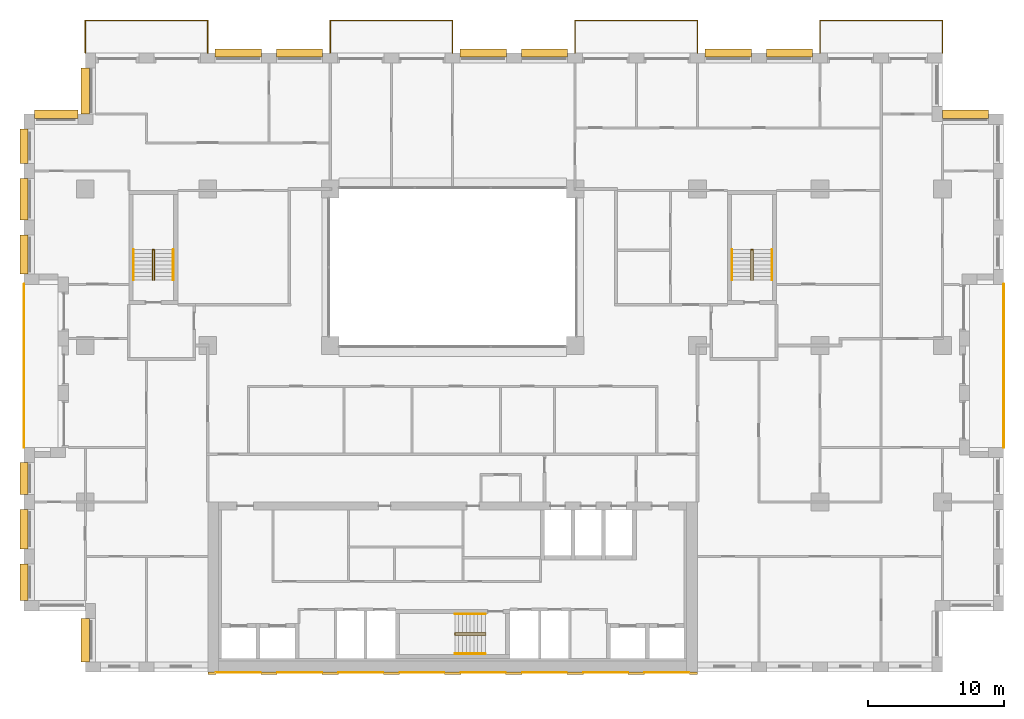
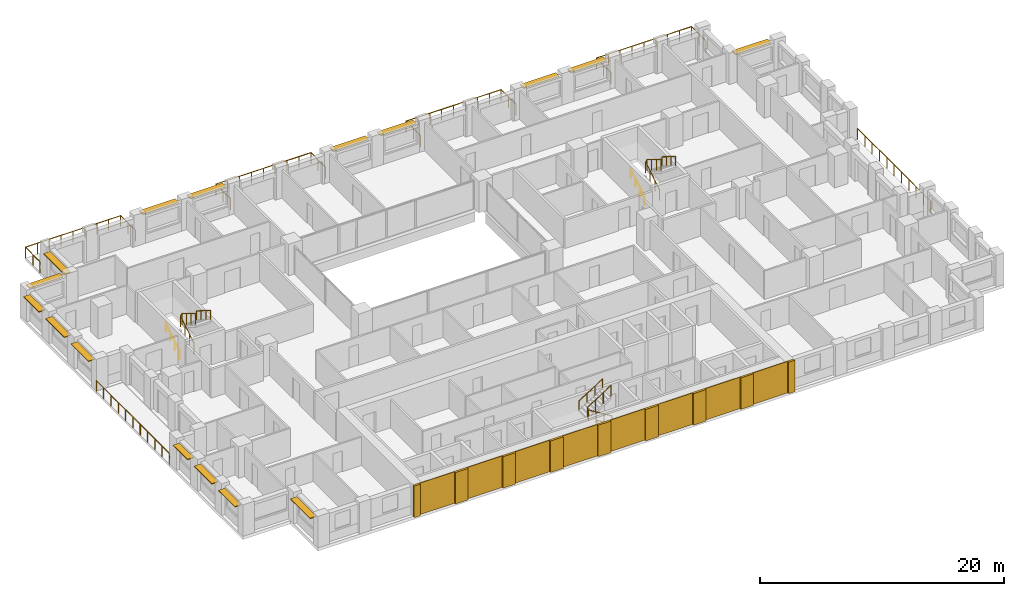
# One storey, part 16 of 16: 17 coverings, 16 shading devices, 15 railings.
"""IFC4 building model written with IfcOpenShell, lengths in metres."""

from ifc_helpers import new_model, si_unit, direction, frame, origin, origin_2d, place, context, subcontext, project, spatial, rectangle, circle, extrude, material, layer, layer_set, type_object, element, save


model = new_model("IFC4")

# Units and contexts
model_context = context("Model", 3, precision=1e-05, world=origin(), true_north=direction((0.0, 1.0)))
body_context = subcontext(model_context, "Body", "Model", "MODEL_VIEW")
ifc_project = project(units=[si_unit("LENGTHUNIT", "METRE"), si_unit("AREAUNIT", "SQUARE_METRE"), si_unit("VOLUMEUNIT", "CUBIC_METRE"), si_unit("PLANEANGLEUNIT", "RADIAN"), si_unit("MASSUNIT", "GRAM", prefix="KILO")], contexts=[model_context])

# Site, building, storey
site_placement = place(None, origin())
site = spatial("IfcSite", under=ifc_project, at=site_placement, CompositionType="ELEMENT")
building_placement = place(site_placement, origin())
building = spatial("IfcBuilding", under=site, at=building_placement, Name="Brigalow Station Residences", CompositionType="ELEMENT")
storey_placement = place(building_placement, frame((0.0, 0.0, 121.35009765625)))
storey = spatial("IfcBuildingStorey", under=building, at=storey_placement, Name="L35", CompositionType="ELEMENT", Elevation=121.35009765625)

# Railings
ifc_material_1 = material(Name="Stainless steel balustrade with laminated glass infill", Category="steel")
railing_type_1 = type_object("IfcRailingType", Name="BALCONY GUARD 1100", PredefinedType="GUARDRAIL", material=ifc_material_1)
railing_1_placement = place(storey_placement, frame((76.5, 16.5, -0.0400390625)))
element("IfcRailing", 1, at=railing_1_placement, inside=storey, type_object=railing_type_1, Name="L35/balcony-guard/1", PredefinedType="GUARDRAIL", context=body_context, shape_type="SweptSolid", body=[
    extrude(circle(Radius=0.02392578125, at=origin_2d()), frame((0.0, 0.0, 1.076171875), z_axis=(0.0, 1.0, 0.0), x_axis=(-1.0, 0.0, 0.0)), (0.0, 0.0, 1.0), 12.0),
    extrude(circle(Radius=0.02099609375, at=origin_2d()), origin(), (0.0, 0.0, 1.0), 1.052001953125),
    extrude(circle(Radius=0.02099609375, at=origin_2d()), frame((0.0, 1.199951171875, 0.0)), (0.0, 0.0, 1.0), 1.052001953125),
    extrude(circle(Radius=0.02099609375, at=origin_2d()), frame((0.0, 2.39990234375, 0.0)), (0.0, 0.0, 1.0), 1.052001953125),
    extrude(circle(Radius=0.02099609375, at=origin_2d()), frame((0.0, 3.60009765625, 0.0)), (0.0, 0.0, 1.0), 1.052001953125),
    extrude(circle(Radius=0.02099609375, at=origin_2d()), frame((0.0, 4.800048828125, 0.0)), (0.0, 0.0, 1.0), 1.052001953125),
    extrude(circle(Radius=0.02099609375, at=origin_2d()), frame((0.0, 6.0, 0.0)), (0.0, 0.0, 1.0), 1.052001953125),
    extrude(circle(Radius=0.02099609375, at=origin_2d()), frame((0.0, 7.199951171875, 0.0)), (0.0, 0.0, 1.0), 1.052001953125),
    extrude(circle(Radius=0.02099609375, at=origin_2d()), frame((0.0, 8.39990234375, 0.0)), (0.0, 0.0, 1.0), 1.052001953125),
    extrude(circle(Radius=0.02099609375, at=origin_2d()), frame((0.0, 9.60009765625, 0.0)), (0.0, 0.0, 1.0), 1.052001953125),
    extrude(circle(Radius=0.02099609375, at=origin_2d()), frame((0.0, 10.800048828125, 0.0)), (0.0, 0.0, 1.0), 1.052001953125),
    extrude(circle(Radius=0.02099609375, at=origin_2d()), frame((0.0, 12.0, 0.0)), (0.0, 0.0, 1.0), 1.052001953125),
])
railing_2_placement = place(storey_placement, frame((72.0, 45.5, -0.0400390625)))
element("IfcRailing", 2, at=railing_2_placement, inside=storey, type_object=railing_type_1, Name="L35/balcony-guard/2", PredefinedType="GUARDRAIL", context=body_context, shape_type="SweptSolid", body=[
    extrude(circle(Radius=0.02392578125, at=origin_2d()), frame((0.0, 0.0, 1.076171875), z_axis=(0.0, 1.0, 0.0), x_axis=(-1.0, 0.0, 0.0)), (0.0, 0.0, 1.0), 2.39990234375),
    extrude(circle(Radius=0.02392578125, at=origin_2d()), frame((0.0, 2.39990234375, 1.076171875), z_axis=(-1.0, 0.0, 0.0), x_axis=(0.0, -1.0, 0.0)), (0.0, 0.0, 1.0), 9.0),
    extrude(circle(Radius=0.02392578125, at=origin_2d()), frame((-9.0, 2.39990234375, 1.076171875), z_axis=(0.0, -1.0, 0.0), x_axis=(1.0, 0.0, 0.0)), (0.0, 0.0, 1.0), 2.39990234375),
    extrude(circle(Radius=0.02099609375, at=origin_2d()), origin(), (0.0, 0.0, 1.0), 1.052001953125),
    extrude(circle(Radius=0.02099609375, at=origin_2d()), frame((0.0, 1.199951171875, 0.0)), (0.0, 0.0, 1.0), 1.052001953125),
    extrude(circle(Radius=0.02099609375, at=origin_2d()), frame((0.0, 2.39990234375, 0.0)), (0.0, 0.0, 1.0), 1.052001953125),
    extrude(circle(Radius=0.02099609375, at=origin_2d()), frame((-1.125, 2.39990234375, 0.0)), (0.0, 0.0, 1.0), 1.052001953125),
    extrude(circle(Radius=0.02099609375, at=origin_2d()), frame((-2.25, 2.39990234375, 0.0)), (0.0, 0.0, 1.0), 1.052001953125),
    extrude(circle(Radius=0.02099609375, at=origin_2d()), frame((-3.375, 2.39990234375, 0.0)), (0.0, 0.0, 1.0), 1.052001953125),
    extrude(circle(Radius=0.02099609375, at=origin_2d()), frame((-4.5, 2.39990234375, 0.0)), (0.0, 0.0, 1.0), 1.052001953125),
    extrude(circle(Radius=0.02099609375, at=origin_2d()), frame((-5.625, 2.39990234375, 0.0)), (0.0, 0.0, 1.0), 1.052001953125),
    extrude(circle(Radius=0.02099609375, at=origin_2d()), frame((-6.75, 2.39990234375, 0.0)), (0.0, 0.0, 1.0), 1.052001953125),
    extrude(circle(Radius=0.02099609375, at=origin_2d()), frame((-7.875, 2.39990234375, 0.0)), (0.0, 0.0, 1.0), 1.052001953125),
    extrude(circle(Radius=0.02099609375, at=origin_2d()), frame((-9.0, 2.39990234375, 0.0)), (0.0, 0.0, 1.0), 1.052001953125),
    extrude(circle(Radius=0.02099609375, at=origin_2d()), frame((-9.0, 1.199951171875, 0.0)), (0.0, 0.0, 1.0), 1.052001953125),
    extrude(circle(Radius=0.02099609375, at=origin_2d()), frame((-9.0, 0.0, 0.0)), (0.0, 0.0, 1.0), 1.052001953125),
])
railing_3_placement = place(storey_placement, frame((54.0, 45.5, -0.0400390625)))
element("IfcRailing", 3, at=railing_3_placement, inside=storey, type_object=railing_type_1, Name="L35/balcony-guard/3", PredefinedType="GUARDRAIL", context=body_context, shape_type="SweptSolid", body=[
    extrude(circle(Radius=0.02392578125, at=origin_2d()), frame((0.0, 0.0, 1.076171875), z_axis=(0.0, 1.0, 0.0), x_axis=(-1.0, 0.0, 0.0)), (0.0, 0.0, 1.0), 2.39990234375),
    extrude(circle(Radius=0.02392578125, at=origin_2d()), frame((0.0, 2.39990234375, 1.076171875), z_axis=(-1.0, 0.0, 0.0), x_axis=(0.0, -1.0, 0.0)), (0.0, 0.0, 1.0), 9.0),
    extrude(circle(Radius=0.02392578125, at=origin_2d()), frame((-9.0, 2.39990234375, 1.076171875), z_axis=(0.0, -1.0, 0.0), x_axis=(1.0, 0.0, 0.0)), (0.0, 0.0, 1.0), 2.39990234375),
    extrude(circle(Radius=0.02099609375, at=origin_2d()), origin(), (0.0, 0.0, 1.0), 1.052001953125),
    extrude(circle(Radius=0.02099609375, at=origin_2d()), frame((0.0, 1.199951171875, 0.0)), (0.0, 0.0, 1.0), 1.052001953125),
    extrude(circle(Radius=0.02099609375, at=origin_2d()), frame((0.0, 2.39990234375, 0.0)), (0.0, 0.0, 1.0), 1.052001953125),
    extrude(circle(Radius=0.02099609375, at=origin_2d()), frame((-1.125, 2.39990234375, 0.0)), (0.0, 0.0, 1.0), 1.052001953125),
    extrude(circle(Radius=0.02099609375, at=origin_2d()), frame((-2.25, 2.39990234375, 0.0)), (0.0, 0.0, 1.0), 1.052001953125),
    extrude(circle(Radius=0.02099609375, at=origin_2d()), frame((-3.375, 2.39990234375, 0.0)), (0.0, 0.0, 1.0), 1.052001953125),
    extrude(circle(Radius=0.02099609375, at=origin_2d()), frame((-4.5, 2.39990234375, 0.0)), (0.0, 0.0, 1.0), 1.052001953125),
    extrude(circle(Radius=0.02099609375, at=origin_2d()), frame((-5.625, 2.39990234375, 0.0)), (0.0, 0.0, 1.0), 1.052001953125),
    extrude(circle(Radius=0.02099609375, at=origin_2d()), frame((-6.75, 2.39990234375, 0.0)), (0.0, 0.0, 1.0), 1.052001953125),
    extrude(circle(Radius=0.02099609375, at=origin_2d()), frame((-7.875, 2.39990234375, 0.0)), (0.0, 0.0, 1.0), 1.052001953125),
    extrude(circle(Radius=0.02099609375, at=origin_2d()), frame((-9.0, 2.39990234375, 0.0)), (0.0, 0.0, 1.0), 1.052001953125),
    extrude(circle(Radius=0.02099609375, at=origin_2d()), frame((-9.0, 1.199951171875, 0.0)), (0.0, 0.0, 1.0), 1.052001953125),
    extrude(circle(Radius=0.02099609375, at=origin_2d()), frame((-9.0, 0.0, 0.0)), (0.0, 0.0, 1.0), 1.052001953125),
])
railing_4_placement = place(storey_placement, frame((36.0, 45.5, -0.0400390625)))
element("IfcRailing", 4, at=railing_4_placement, inside=storey, type_object=railing_type_1, Name="L35/balcony-guard/4", PredefinedType="GUARDRAIL", context=body_context, shape_type="SweptSolid", body=[
    extrude(circle(Radius=0.02392578125, at=origin_2d()), frame((0.0, 0.0, 1.076171875), z_axis=(0.0, 1.0, 0.0), x_axis=(-1.0, 0.0, 0.0)), (0.0, 0.0, 1.0), 2.39990234375),
    extrude(circle(Radius=0.02392578125, at=origin_2d()), frame((0.0, 2.39990234375, 1.076171875), z_axis=(-1.0, 0.0, 0.0), x_axis=(0.0, -1.0, 0.0)), (0.0, 0.0, 1.0), 9.0),
    extrude(circle(Radius=0.02392578125, at=origin_2d()), frame((-9.0, 2.39990234375, 1.076171875), z_axis=(0.0, -1.0, 0.0), x_axis=(1.0, 0.0, 0.0)), (0.0, 0.0, 1.0), 2.39990234375),
    extrude(circle(Radius=0.02099609375, at=origin_2d()), origin(), (0.0, 0.0, 1.0), 1.052001953125),
    extrude(circle(Radius=0.02099609375, at=origin_2d()), frame((0.0, 1.199951171875, 0.0)), (0.0, 0.0, 1.0), 1.052001953125),
    extrude(circle(Radius=0.02099609375, at=origin_2d()), frame((0.0, 2.39990234375, 0.0)), (0.0, 0.0, 1.0), 1.052001953125),
    extrude(circle(Radius=0.02099609375, at=origin_2d()), frame((-1.125, 2.39990234375, 0.0)), (0.0, 0.0, 1.0), 1.052001953125),
    extrude(circle(Radius=0.02099609375, at=origin_2d()), frame((-2.25, 2.39990234375, 0.0)), (0.0, 0.0, 1.0), 1.052001953125),
    extrude(circle(Radius=0.02099609375, at=origin_2d()), frame((-3.375, 2.39990234375, 0.0)), (0.0, 0.0, 1.0), 1.052001953125),
    extrude(circle(Radius=0.02099609375, at=origin_2d()), frame((-4.5, 2.39990234375, 0.0)), (0.0, 0.0, 1.0), 1.052001953125),
    extrude(circle(Radius=0.02099609375, at=origin_2d()), frame((-5.625, 2.39990234375, 0.0)), (0.0, 0.0, 1.0), 1.052001953125),
    extrude(circle(Radius=0.02099609375, at=origin_2d()), frame((-6.75, 2.39990234375, 0.0)), (0.0, 0.0, 1.0), 1.052001953125),
    extrude(circle(Radius=0.02099609375, at=origin_2d()), frame((-7.875, 2.39990234375, 0.0)), (0.0, 0.0, 1.0), 1.052001953125),
    extrude(circle(Radius=0.02099609375, at=origin_2d()), frame((-9.0, 2.39990234375, 0.0)), (0.0, 0.0, 1.0), 1.052001953125),
    extrude(circle(Radius=0.02099609375, at=origin_2d()), frame((-9.0, 1.199951171875, 0.0)), (0.0, 0.0, 1.0), 1.052001953125),
    extrude(circle(Radius=0.02099609375, at=origin_2d()), frame((-9.0, 0.0, 0.0)), (0.0, 0.0, 1.0), 1.052001953125),
])
railing_5_placement = place(storey_placement, frame((18.0, 45.5, -0.0400390625)))
element("IfcRailing", 5, at=railing_5_placement, inside=storey, type_object=railing_type_1, Name="L35/balcony-guard/5", PredefinedType="GUARDRAIL", context=body_context, shape_type="SweptSolid", body=[
    extrude(circle(Radius=0.02392578125, at=origin_2d()), frame((0.0, 0.0, 1.076171875), z_axis=(0.0, 1.0, 0.0), x_axis=(-1.0, 0.0, 0.0)), (0.0, 0.0, 1.0), 2.39990234375),
    extrude(circle(Radius=0.02392578125, at=origin_2d()), frame((0.0, 2.39990234375, 1.076171875), z_axis=(-1.0, 0.0, 0.0), x_axis=(0.0, -1.0, 0.0)), (0.0, 0.0, 1.0), 9.0),
    extrude(circle(Radius=0.02392578125, at=origin_2d()), frame((-9.0, 2.39990234375, 1.076171875), z_axis=(0.0, -1.0, 0.0), x_axis=(1.0, 0.0, 0.0)), (0.0, 0.0, 1.0), 2.39990234375),
    extrude(circle(Radius=0.02099609375, at=origin_2d()), origin(), (0.0, 0.0, 1.0), 1.052001953125),
    extrude(circle(Radius=0.02099609375, at=origin_2d()), frame((0.0, 1.199951171875, 0.0)), (0.0, 0.0, 1.0), 1.052001953125),
    extrude(circle(Radius=0.02099609375, at=origin_2d()), frame((0.0, 2.39990234375, 0.0)), (0.0, 0.0, 1.0), 1.052001953125),
    extrude(circle(Radius=0.02099609375, at=origin_2d()), frame((-1.125, 2.39990234375, 0.0)), (0.0, 0.0, 1.0), 1.052001953125),
    extrude(circle(Radius=0.02099609375, at=origin_2d()), frame((-2.25, 2.39990234375, 0.0)), (0.0, 0.0, 1.0), 1.052001953125),
    extrude(circle(Radius=0.02099609375, at=origin_2d()), frame((-3.375, 2.39990234375, 0.0)), (0.0, 0.0, 1.0), 1.052001953125),
    extrude(circle(Radius=0.02099609375, at=origin_2d()), frame((-4.5, 2.39990234375, 0.0)), (0.0, 0.0, 1.0), 1.052001953125),
    extrude(circle(Radius=0.02099609375, at=origin_2d()), frame((-5.625, 2.39990234375, 0.0)), (0.0, 0.0, 1.0), 1.052001953125),
    extrude(circle(Radius=0.02099609375, at=origin_2d()), frame((-6.75, 2.39990234375, 0.0)), (0.0, 0.0, 1.0), 1.052001953125),
    extrude(circle(Radius=0.02099609375, at=origin_2d()), frame((-7.875, 2.39990234375, 0.0)), (0.0, 0.0, 1.0), 1.052001953125),
    extrude(circle(Radius=0.02099609375, at=origin_2d()), frame((-9.0, 2.39990234375, 0.0)), (0.0, 0.0, 1.0), 1.052001953125),
    extrude(circle(Radius=0.02099609375, at=origin_2d()), frame((-9.0, 1.199951171875, 0.0)), (0.0, 0.0, 1.0), 1.052001953125),
    extrude(circle(Radius=0.02099609375, at=origin_2d()), frame((-9.0, 0.0, 0.0)), (0.0, 0.0, 1.0), 1.052001953125),
])
railing_6_placement = place(storey_placement, frame((4.5, 28.5, -0.0400390625)))
element("IfcRailing", 6, at=railing_6_placement, inside=storey, type_object=railing_type_1, Name="L35/balcony-guard/6", PredefinedType="GUARDRAIL", context=body_context, shape_type="SweptSolid", body=[
    extrude(circle(Radius=0.02392578125, at=origin_2d()), frame((0.0, 0.0, 1.076171875), z_axis=(0.0, -1.0, 0.0), x_axis=(1.0, 0.0, 0.0)), (0.0, 0.0, 1.0), 12.0),
    extrude(circle(Radius=0.02099609375, at=origin_2d()), origin(), (0.0, 0.0, 1.0), 1.052001953125),
    extrude(circle(Radius=0.02099609375, at=origin_2d()), frame((0.0, -1.199951171875, 0.0)), (0.0, 0.0, 1.0), 1.052001953125),
    extrude(circle(Radius=0.02099609375, at=origin_2d()), frame((0.0, -2.39990234375, 0.0)), (0.0, 0.0, 1.0), 1.052001953125),
    extrude(circle(Radius=0.02099609375, at=origin_2d()), frame((0.0, -3.60009765625, 0.0)), (0.0, 0.0, 1.0), 1.052001953125),
    extrude(circle(Radius=0.02099609375, at=origin_2d()), frame((0.0, -4.800048828125, 0.0)), (0.0, 0.0, 1.0), 1.052001953125),
    extrude(circle(Radius=0.02099609375, at=origin_2d()), frame((0.0, -6.0, 0.0)), (0.0, 0.0, 1.0), 1.052001953125),
    extrude(circle(Radius=0.02099609375, at=origin_2d()), frame((0.0, -7.199951171875, 0.0)), (0.0, 0.0, 1.0), 1.052001953125),
    extrude(circle(Radius=0.02099609375, at=origin_2d()), frame((0.0, -8.39990234375, 0.0)), (0.0, 0.0, 1.0), 1.052001953125),
    extrude(circle(Radius=0.02099609375, at=origin_2d()), frame((0.0, -9.60009765625, 0.0)), (0.0, 0.0, 1.0), 1.052001953125),
    extrude(circle(Radius=0.02099609375, at=origin_2d()), frame((0.0, -10.800048828125, 0.0)), (0.0, 0.0, 1.0), 1.052001953125),
    extrude(circle(Radius=0.02099609375, at=origin_2d()), frame((0.0, -12.0, 0.0)), (0.0, 0.0, 1.0), 1.052001953125),
])

# Coverings
ifc_material_2 = material(Name="Clay brick masonry", Category="masonry")
ifc_layer_1 = layer(ifc_material_2, 0.06005859375)
ifc_layer_set_1 = layer_set([ifc_layer_1], Name="BRICK PANEL FACING 60")
covering_type_1 = type_object("IfcCoveringType", Name="BRICK PANEL FACING 60", PredefinedType="CLADDING", material=ifc_layer_set_1)
for number, where, z_axis, x_axis, name in (
    (7, (20.25, -0.030029296875, 0.0), (0.0, 0.0, 1.0), (1.0, 0.0, 0.0), "L35/rear-facing/panel-1"),
    (8, (24.75, -0.030029296875, 0.0), (0.0, 0.0, 1.0), (1.0, 0.0, 0.0), "L35/rear-facing/panel-2"),
    (9, (29.25, -0.030029296875, 0.0), (0.0, 0.0, 1.0), (1.0, 0.0, 0.0), "L35/rear-facing/panel-3"),
    (10, (33.75, -0.030029296875, 0.0), (0.0, 0.0, 1.0), (1.0, 0.0, 0.0), "L35/rear-facing/panel-4"),
    (11, (38.25, -0.030029296875, 0.0), (0.0, 0.0, 1.0), (1.0, 0.0, 0.0), "L35/rear-facing/panel-5"),
    (12, (42.75, -0.030029296875, 0.0), (0.0, 0.0, 1.0), (1.0, 0.0, 0.0), "L35/rear-facing/panel-6"),
    (13, (47.25, -0.030029296875, 0.0), (0.0, 0.0, 1.0), (1.0, 0.0, 0.0), "L35/rear-facing/panel-7"),
    (14, (51.75, -0.030029296875, 0.0), (0.0, 0.0, 1.0), (1.0, 0.0, 0.0), "L35/rear-facing/panel-8"),
):
    element("IfcCovering", number, at=place(storey_placement, frame(where, z_axis=z_axis, x_axis=x_axis)), inside=storey, type_object=covering_type_1, Name=name, PredefinedType="CLADDING", context=body_context, shape_type="SweptSolid", body=[
        extrude(rectangle(XDim=3.300048828125, YDim=0.06005859375, at=origin_2d()), origin(), (0.0, 0.0, 1.0), 3.14990234375),
    ])
ifc_material_3 = material(Name="Clay brick masonry", Category="masonry")
ifc_layer_2 = layer(ifc_material_3, 0.199951171875)
ifc_layer_set_2 = layer_set([ifc_layer_2], Name="BRICK PIER FACING 200")
covering_type_2 = type_object("IfcCoveringType", Name="BRICK PIER FACING 200", PredefinedType="CLADDING", material=ifc_layer_set_2)
covering_1_placement = place(storey_placement, frame((18.300048828125, -0.10009765625, 0.0), z_axis=(0.0, 0.0, 1.0), x_axis=(1.0, 0.0, 0.0)))
element("IfcCovering", 15, at=covering_1_placement, inside=storey, type_object=covering_type_2, Name="L35/rear-facing/pier-1", PredefinedType="CLADDING", context=body_context, shape_type="SweptSolid", body=[
    extrude(rectangle(XDim=0.60009765625, YDim=0.199951171875, at=origin_2d()), origin(), (0.0, 0.0, 1.0), 3.14990234375),
])
for number, where, z_axis, x_axis, name in (
    (16, (22.5, -0.10009765625, 0.0), (0.0, 0.0, 1.0), (1.0, 0.0, 0.0), "L35/rear-facing/pier-2"),
    (17, (27.0, -0.10009765625, 0.0), (0.0, 0.0, 1.0), (1.0, 0.0, 0.0), "L35/rear-facing/pier-3"),
    (18, (31.5, -0.10009765625, 0.0), (0.0, 0.0, 1.0), (1.0, 0.0, 0.0), "L35/rear-facing/pier-4"),
    (19, (36.0, -0.10009765625, 0.0), (0.0, 0.0, 1.0), (1.0, 0.0, 0.0), "L35/rear-facing/pier-5"),
    (20, (40.5, -0.10009765625, 0.0), (0.0, 0.0, 1.0), (1.0, 0.0, 0.0), "L35/rear-facing/pier-6"),
    (21, (45.0, -0.10009765625, 0.0), (0.0, 0.0, 1.0), (1.0, 0.0, 0.0), "L35/rear-facing/pier-7"),
    (22, (49.5, -0.10009765625, 0.0), (0.0, 0.0, 1.0), (1.0, 0.0, 0.0), "L35/rear-facing/pier-8"),
):
    element("IfcCovering", number, at=place(storey_placement, frame(where, z_axis=z_axis, x_axis=x_axis)), inside=storey, type_object=covering_type_2, Name=name, PredefinedType="CLADDING", context=body_context, shape_type="SweptSolid", body=[
        extrude(rectangle(XDim=1.199951171875, YDim=0.199951171875, at=origin_2d()), origin(), (0.0, 0.0, 1.0), 3.14990234375),
    ])
covering_2_placement = place(storey_placement, frame((53.699951171875, -0.10009765625, 0.0), z_axis=(0.0, 0.0, 1.0), x_axis=(1.0, 0.0, 0.0)))
element("IfcCovering", 23, at=covering_2_placement, inside=storey, type_object=covering_type_2, Name="L35/rear-facing/pier-9", PredefinedType="CLADDING", context=body_context, shape_type="SweptSolid", body=[
    extrude(rectangle(XDim=0.60009765625, YDim=0.199951171875, at=origin_2d()), origin(), (0.0, 0.0, 1.0), 3.14990234375),
])

# Railings
ifc_material_4 = material(Name="Stainless steel balustrade", Category="steel")
railing_type_2 = type_object("IfcRailingType", Name="STAIR GUARD 1100", PredefinedType="GUARDRAIL", material=ifc_material_4)
railing_7_placement = place(storey_placement, frame((38.39990234375, 2.72998046875, 0.1748046875)))
element("IfcRailing", 24, at=railing_7_placement, inside=storey, type_object=railing_type_2, Name="GUARD GR-2", PredefinedType="GUARDRAIL", context=body_context, shape_type="SweptSolid", body=[
    extrude(circle(Radius=0.02392578125, at=origin_2d()), frame((0.0, 0.0, 1.076171875), z_axis=(-0.847972341737, 0.0, 0.530040477369), x_axis=(0.0, -1.0, 0.0)), (0.0, 0.0, 1.0), 2.6416015625),
    extrude(circle(Radius=0.02392578125, at=origin_2d()), frame((-2.239990234375, 0.0, 2.47607421875), z_axis=(0.0, 0.624960567888, 0.780656319122), x_axis=(-1.0, 0.0, 0.0)), (0.0, 0.0, 1.0), 0.22412109375),
    extrude(circle(Radius=0.02392578125, at=origin_2d()), frame((-2.239990234375, 0.14013671875, 2.6513671875), z_axis=(0.848013881152, 0.0, 0.529974015752), x_axis=(0.0, 1.0, 0.0)), (0.0, 0.0, 1.0), 2.641357421875),
    extrude(circle(Radius=0.02099609375, at=origin_2d()), origin(), (0.0, 0.0, 1.0), 1.052001953125),
    extrude(circle(Radius=0.02099609375, at=origin_2d()), frame((-0.74658203125, 0.0, 0.466796875)), (0.0, 0.0, 1.0), 1.052001953125),
    extrude(circle(Radius=0.02099609375, at=origin_2d()), frame((-1.493408203125, 0.0, 0.933349609375)), (0.0, 0.0, 1.0), 1.052001953125),
    extrude(circle(Radius=0.02099609375, at=origin_2d()), frame((-2.239990234375, 0.0, 1.400146484375)), (0.0, 0.0, 1.0), 1.052001953125),
    extrude(circle(Radius=0.02099609375, at=origin_2d()), frame((-2.239990234375, 0.14013671875, 1.5751953125)), (0.0, 0.0, 1.0), 1.052001953125),
    extrude(circle(Radius=0.02099609375, at=origin_2d()), frame((-1.493408203125, 0.14013671875, 2.041748046875)), (0.0, 0.0, 1.0), 1.052001953125),
    extrude(circle(Radius=0.02099609375, at=origin_2d()), frame((-0.74658203125, 0.14013671875, 2.508544921875)), (0.0, 0.0, 1.0), 1.052001953125),
    extrude(circle(Radius=0.02099609375, at=origin_2d()), frame((0.0, 0.14013671875, 2.97509765625)), (0.0, 0.0, 1.0), 1.052001953125),
])
for number, where, name in (
    (25, (13.929931640625, 28.800048828125, 0.1748046875), "GUARD GR-1"),
    (26, (57.929931640625, 28.800048828125, 0.1748046875), "GUARD GR-3"),
):
    element("IfcRailing", number, at=place(storey_placement, frame(where)), inside=storey, type_object=railing_type_2, Name=name, PredefinedType="GUARDRAIL", context=body_context, shape_type="SweptSolid", body=[
        extrude(circle(Radius=0.02392578125, at=origin_2d()), frame((0.0, 0.0, 1.076171875), z_axis=(0.0, 0.847972341737, 0.530040477369), x_axis=(-1.0, 0.0, 0.0)), (0.0, 0.0, 1.0), 2.6416015625),
        extrude(circle(Radius=0.02392578125, at=origin_2d()), frame((0.0, 2.239990234375, 2.47607421875), z_axis=(0.624960567888, 0.0, 0.780656319122), x_axis=(0.0, 1.0, 0.0)), (0.0, 0.0, 1.0), 0.22412109375),
        extrude(circle(Radius=0.02392578125, at=origin_2d()), frame((0.14013671875, 2.239990234375, 2.6513671875), z_axis=(0.0, -0.848013881152, 0.529974015752), x_axis=(1.0, 0.0, 0.0)), (0.0, 0.0, 1.0), 2.641357421875),
        extrude(circle(Radius=0.02099609375, at=origin_2d()), origin(), (0.0, 0.0, 1.0), 1.052001953125),
        extrude(circle(Radius=0.02099609375, at=origin_2d()), frame((0.0, 0.74658203125, 0.466796875)), (0.0, 0.0, 1.0), 1.052001953125),
        extrude(circle(Radius=0.02099609375, at=origin_2d()), frame((0.0, 1.493408203125, 0.933349609375)), (0.0, 0.0, 1.0), 1.052001953125),
        extrude(circle(Radius=0.02099609375, at=origin_2d()), frame((0.0, 2.239990234375, 1.400146484375)), (0.0, 0.0, 1.0), 1.052001953125),
        extrude(circle(Radius=0.02099609375, at=origin_2d()), frame((0.14013671875, 2.239990234375, 1.5751953125)), (0.0, 0.0, 1.0), 1.052001953125),
        extrude(circle(Radius=0.02099609375, at=origin_2d()), frame((0.14013671875, 1.493408203125, 2.041748046875)), (0.0, 0.0, 1.0), 1.052001953125),
        extrude(circle(Radius=0.02099609375, at=origin_2d()), frame((0.14013671875, 0.74658203125, 2.508544921875)), (0.0, 0.0, 1.0), 1.052001953125),
        extrude(circle(Radius=0.02099609375, at=origin_2d()), frame((0.14013671875, 0.0, 2.97509765625)), (0.0, 0.0, 1.0), 1.052001953125),
    ])
ifc_material_5 = material(Name="Stainless steel handrail", Category="steel")
railing_type_3 = type_object("IfcRailingType", Name="STAIR HANDRAIL 900", PredefinedType="HANDRAIL", material=ifc_material_5)
railing_8_placement = place(storey_placement, frame((38.39990234375, 1.340087890625, 0.1748046875)))
element("IfcRailing", 27, at=railing_8_placement, inside=storey, type_object=railing_type_3, Name="HANDRAIL HR-21", PredefinedType="HANDRAIL", context=body_context, shape_type="SweptSolid", body=[
    extrude(circle(Radius=0.02392578125, at=origin_2d()), frame((0.0, 0.0, 0.8759765625), z_axis=(-0.847972341737, 0.0, 0.530040477369), x_axis=(0.0, -1.0, 0.0)), (0.0, 0.0, 1.0), 2.6416015625),
    extrude(circle(Radius=0.02099609375, at=origin_2d()), origin(), (0.0, 0.0, 1.0), 0.851806640625),
    extrude(circle(Radius=0.02099609375, at=origin_2d()), frame((-0.74658203125, 0.0, 0.466796875)), (0.0, 0.0, 1.0), 0.851806640625),
    extrude(circle(Radius=0.02099609375, at=origin_2d()), frame((-1.493408203125, 0.0, 0.933349609375)), (0.0, 0.0, 1.0), 0.851806640625),
    extrude(circle(Radius=0.02099609375, at=origin_2d()), frame((-2.239990234375, 0.0, 1.400146484375)), (0.0, 0.0, 1.0), 0.851806640625),
])
railing_9_placement = place(storey_placement, frame((36.159912109375, 4.260009765625, 1.75)))
element("IfcRailing", 28, at=railing_9_placement, inside=storey, type_object=railing_type_3, Name="HANDRAIL HR-22", PredefinedType="HANDRAIL", context=body_context, shape_type="SweptSolid", body=[
    extrude(circle(Radius=0.02392578125, at=origin_2d()), frame((0.0, 0.0, 0.8759765625), z_axis=(0.848013881152, 0.0, 0.529974015752), x_axis=(0.0, 1.0, 0.0)), (0.0, 0.0, 1.0), 2.641357421875),
    extrude(circle(Radius=0.02099609375, at=origin_2d()), origin(), (0.0, 0.0, 1.0), 0.851806640625),
    extrude(circle(Radius=0.02099609375, at=origin_2d()), frame((0.74658203125, 0.0, 0.466552734375)), (0.0, 0.0, 1.0), 0.851806640625),
    extrude(circle(Radius=0.02099609375, at=origin_2d()), frame((1.493408203125, 0.0, 0.933349609375)), (0.0, 0.0, 1.0), 0.851806640625),
    extrude(circle(Radius=0.02099609375, at=origin_2d()), frame((2.239990234375, 0.0, 1.39990234375)), (0.0, 0.0, 1.0), 0.851806640625),
])
railing_10_placement = place(storey_placement, frame((12.5400390625, 28.800048828125, 0.1748046875)))
element("IfcRailing", 29, at=railing_10_placement, inside=storey, type_object=railing_type_3, Name="HANDRAIL HR-11", PredefinedType="HANDRAIL", context=body_context, shape_type="SweptSolid", body=[
    extrude(circle(Radius=0.02392578125, at=origin_2d()), frame((0.0, 0.0, 0.8759765625), z_axis=(0.0, 0.847972341737, 0.530040477369), x_axis=(-1.0, 0.0, 0.0)), (0.0, 0.0, 1.0), 2.6416015625),
    extrude(circle(Radius=0.02099609375, at=origin_2d()), origin(), (0.0, 0.0, 1.0), 0.851806640625),
    extrude(circle(Radius=0.02099609375, at=origin_2d()), frame((0.0, 0.74658203125, 0.466796875)), (0.0, 0.0, 1.0), 0.851806640625),
    extrude(circle(Radius=0.02099609375, at=origin_2d()), frame((0.0, 1.493408203125, 0.933349609375)), (0.0, 0.0, 1.0), 0.851806640625),
    extrude(circle(Radius=0.02099609375, at=origin_2d()), frame((0.0, 2.239990234375, 1.400146484375)), (0.0, 0.0, 1.0), 0.851806640625),
])
railing_11_placement = place(storey_placement, frame((15.4599609375, 31.0400390625, 1.75)))
element("IfcRailing", 30, at=railing_11_placement, inside=storey, type_object=railing_type_3, Name="HANDRAIL HR-12", PredefinedType="HANDRAIL", context=body_context, shape_type="SweptSolid", body=[
    extrude(circle(Radius=0.02392578125, at=origin_2d()), frame((0.0, 0.0, 0.8759765625), z_axis=(0.0, -0.848013881152, 0.529974015752), x_axis=(1.0, 0.0, 0.0)), (0.0, 0.0, 1.0), 2.641357421875),
    extrude(circle(Radius=0.02099609375, at=origin_2d()), origin(), (0.0, 0.0, 1.0), 0.851806640625),
    extrude(circle(Radius=0.02099609375, at=origin_2d()), frame((0.0, -0.74658203125, 0.466552734375)), (0.0, 0.0, 1.0), 0.851806640625),
    extrude(circle(Radius=0.02099609375, at=origin_2d()), frame((0.0, -1.493408203125, 0.933349609375)), (0.0, 0.0, 1.0), 0.851806640625),
    extrude(circle(Radius=0.02099609375, at=origin_2d()), frame((0.0, -2.239990234375, 1.39990234375)), (0.0, 0.0, 1.0), 0.851806640625),
])
railing_12_placement = place(storey_placement, frame((56.5400390625, 28.800048828125, 0.1748046875)))
element("IfcRailing", 31, at=railing_12_placement, inside=storey, type_object=railing_type_3, Name="HANDRAIL HR-31", PredefinedType="HANDRAIL", context=body_context, shape_type="SweptSolid", body=[
    extrude(circle(Radius=0.02392578125, at=origin_2d()), frame((0.0, 0.0, 0.8759765625), z_axis=(0.0, 0.847972341737, 0.530040477369), x_axis=(-1.0, 0.0, 0.0)), (0.0, 0.0, 1.0), 2.6416015625),
    extrude(circle(Radius=0.02099609375, at=origin_2d()), origin(), (0.0, 0.0, 1.0), 0.851806640625),
    extrude(circle(Radius=0.02099609375, at=origin_2d()), frame((0.0, 0.74658203125, 0.466796875)), (0.0, 0.0, 1.0), 0.851806640625),
    extrude(circle(Radius=0.02099609375, at=origin_2d()), frame((0.0, 1.493408203125, 0.933349609375)), (0.0, 0.0, 1.0), 0.851806640625),
    extrude(circle(Radius=0.02099609375, at=origin_2d()), frame((0.0, 2.239990234375, 1.400146484375)), (0.0, 0.0, 1.0), 0.851806640625),
])
railing_13_placement = place(storey_placement, frame((59.4599609375, 31.0400390625, 1.75)))
element("IfcRailing", 32, at=railing_13_placement, inside=storey, type_object=railing_type_3, Name="HANDRAIL HR-32", PredefinedType="HANDRAIL", context=body_context, shape_type="SweptSolid", body=[
    extrude(circle(Radius=0.02392578125, at=origin_2d()), frame((0.0, 0.0, 0.8759765625), z_axis=(0.0, -0.848013881152, 0.529974015752), x_axis=(1.0, 0.0, 0.0)), (0.0, 0.0, 1.0), 2.641357421875),
    extrude(circle(Radius=0.02099609375, at=origin_2d()), origin(), (0.0, 0.0, 1.0), 0.851806640625),
    extrude(circle(Radius=0.02099609375, at=origin_2d()), frame((0.0, -0.74658203125, 0.466552734375)), (0.0, 0.0, 1.0), 0.851806640625),
    extrude(circle(Radius=0.02099609375, at=origin_2d()), frame((0.0, -1.493408203125, 0.933349609375)), (0.0, 0.0, 1.0), 0.851806640625),
    extrude(circle(Radius=0.02099609375, at=origin_2d()), frame((0.0, -2.239990234375, 1.39990234375)), (0.0, 0.0, 1.0), 0.851806640625),
])

# Shading devices
ifc_material_6 = material(Name="Powder-coated extruded aluminium blade", Category="aluminium")
ifc_layer_3 = layer(ifc_material_6, 0.080078125)
ifc_layer_set_3 = layer_set([ifc_layer_3], Name="SUNSHADE BLADE 600x80")
shading_device_type = type_object("IfcShadingDeviceType", Name="SUNSHADE BLADE 600x80", PredefinedType="JALOUSIE", material=ifc_layer_set_3)
for number, where, z_axis, x_axis, name in (
    (33, (73.699951171875, 41.0, 2.5498046875), (0.0, 0.0, 1.0), (-1.0, 0.0, 0.0), "L35/blade/W-L35-21"),
    (34, (60.75, 45.5, 2.5498046875), (0.0, 0.0, 1.0), (-1.0, 0.0, 0.0), "L35/blade/W-L35-25"),
    (35, (56.25, 45.5, 2.5498046875), (0.0, 0.0, 1.0), (-1.0, 0.0, 0.0), "L35/blade/W-L35-26"),
    (36, (42.75, 45.5, 2.5498046875), (0.0, 0.0, 1.0), (-1.0, 0.0, 0.0), "L35/blade/W-L35-29"),
    (37, (38.25, 45.5, 2.5498046875), (0.0, 0.0, 1.0), (-1.0, 0.0, 0.0), "L35/blade/W-L35-30"),
    (38, (24.75, 45.5, 2.5498046875), (0.0, 0.0, 1.0), (-1.0, 0.0, 0.0), "L35/blade/W-L35-33"),
    (39, (20.25, 45.5, 2.5498046875), (0.0, 0.0, 1.0), (-1.0, 0.0, 0.0), "L35/blade/W-L35-34"),
    (40, (9.0, 42.699951171875, 2.5498046875), (0.0, 0.0, 1.0), (0.0, -1.0, 0.0), "L35/blade/W-L35-37"),
):
    element("IfcShadingDevice", number, at=place(storey_placement, frame(where, z_axis=z_axis, x_axis=x_axis)), inside=storey, type_object=shading_device_type, Name=name, PredefinedType="JALOUSIE", context=body_context, shape_type="SweptSolid", body=[
        extrude(rectangle(XDim=3.39990234375, YDim=0.60009765625, at=origin_2d()), origin(), (0.0, 0.0, 1.0), 0.080078125),
    ])
shading_device_1_placement = place(storey_placement, frame((6.85009765625, 41.0, 2.5498046875), z_axis=(0.0, 0.0, 1.0), x_axis=(-1.0, 0.0, 0.0)))
element("IfcShadingDevice", 41, at=shading_device_1_placement, inside=storey, type_object=shading_device_type, Name="L35/blade/W-L35-38", PredefinedType="JALOUSIE", context=body_context, shape_type="SweptSolid", body=[
    extrude(rectangle(XDim=3.199951171875, YDim=0.60009765625, at=origin_2d()), origin(), (0.0, 0.0, 1.0), 0.080078125),
])
shading_device_2_placement = place(storey_placement, frame((4.5, 38.6416015625, 2.5498046875), z_axis=(0.0, 0.0, 1.0), x_axis=(0.0, -1.0, 0.0)))
element("IfcShadingDevice", 42, at=shading_device_2_placement, inside=storey, type_object=shading_device_type, Name="L35/blade/W-L35-39", PredefinedType="JALOUSIE", context=body_context, shape_type="SweptSolid", body=[
    extrude(rectangle(XDim=2.51708984375, YDim=0.60009765625, at=origin_2d()), origin(), (0.0, 0.0, 1.0), 0.080078125),
])
shading_device_3_placement = place(storey_placement, frame((4.5, 34.75, 2.5498046875), z_axis=(0.0, 0.0, 1.0), x_axis=(0.0, -1.0, 0.0)))
element("IfcShadingDevice", 43, at=shading_device_3_placement, inside=storey, type_object=shading_device_type, Name="L35/blade/W-L35-40", PredefinedType="JALOUSIE", context=body_context, shape_type="SweptSolid", body=[
    extrude(rectangle(XDim=3.06591796875, YDim=0.60009765625, at=origin_2d()), origin(), (0.0, 0.0, 1.0), 0.080078125),
])
shading_device_4_placement = place(storey_placement, frame((4.5, 30.68359375, 2.5498046875), z_axis=(0.0, 0.0, 1.0), x_axis=(0.0, -1.0, 0.0)))
element("IfcShadingDevice", 44, at=shading_device_4_placement, inside=storey, type_object=shading_device_type, Name="L35/blade/W-L35-41", PredefinedType="JALOUSIE", context=body_context, shape_type="SweptSolid", body=[
    extrude(rectangle(XDim=2.866943359375, YDim=0.60009765625, at=origin_2d()), origin(), (0.0, 0.0, 1.0), 0.080078125),
])
shading_device_5_placement = place(storey_placement, frame((4.5, 14.22509765625, 2.5498046875), z_axis=(0.0, 0.0, 1.0), x_axis=(0.0, -1.0, 0.0)))
element("IfcShadingDevice", 45, at=shading_device_5_placement, inside=storey, type_object=shading_device_type, Name="L35/blade/W-L35-47", PredefinedType="JALOUSIE", context=body_context, shape_type="SweptSolid", body=[
    extrude(rectangle(XDim=2.35009765625, YDim=0.60009765625, at=origin_2d()), origin(), (0.0, 0.0, 1.0), 0.080078125),
])
shading_device_6_placement = place(storey_placement, frame((4.5, 10.5, 2.5498046875), z_axis=(0.0, 0.0, 1.0), x_axis=(0.0, -1.0, 0.0)))
element("IfcShadingDevice", 46, at=shading_device_6_placement, inside=storey, type_object=shading_device_type, Name="L35/blade/W-L35-48", PredefinedType="JALOUSIE", context=body_context, shape_type="SweptSolid", body=[
    extrude(rectangle(XDim=2.89990234375, YDim=0.60009765625, at=origin_2d()), origin(), (0.0, 0.0, 1.0), 0.080078125),
])
shading_device_7_placement = place(storey_placement, frame((4.5, 6.60009765625, 2.5498046875), z_axis=(0.0, 0.0, 1.0), x_axis=(0.0, -1.0, 0.0)))
element("IfcShadingDevice", 47, at=shading_device_7_placement, inside=storey, type_object=shading_device_type, Name="L35/blade/W-L35-49", PredefinedType="JALOUSIE", context=body_context, shape_type="SweptSolid", body=[
    extrude(rectangle(XDim=2.699951171875, YDim=0.60009765625, at=origin_2d()), origin(), (0.0, 0.0, 1.0), 0.080078125),
])
shading_device_8_placement = place(storey_placement, frame((9.0, 2.35009765625, 2.5498046875), z_axis=(0.0, 0.0, 1.0), x_axis=(0.0, -1.0, 0.0)))
element("IfcShadingDevice", 48, at=shading_device_8_placement, inside=storey, type_object=shading_device_type, Name="L35/blade/W-L35-51", PredefinedType="JALOUSIE", context=body_context, shape_type="SweptSolid", body=[
    extrude(rectangle(XDim=3.199951171875, YDim=0.60009765625, at=origin_2d()), origin(), (0.0, 0.0, 1.0), 0.080078125),
])

save(model, "model.ifc")
